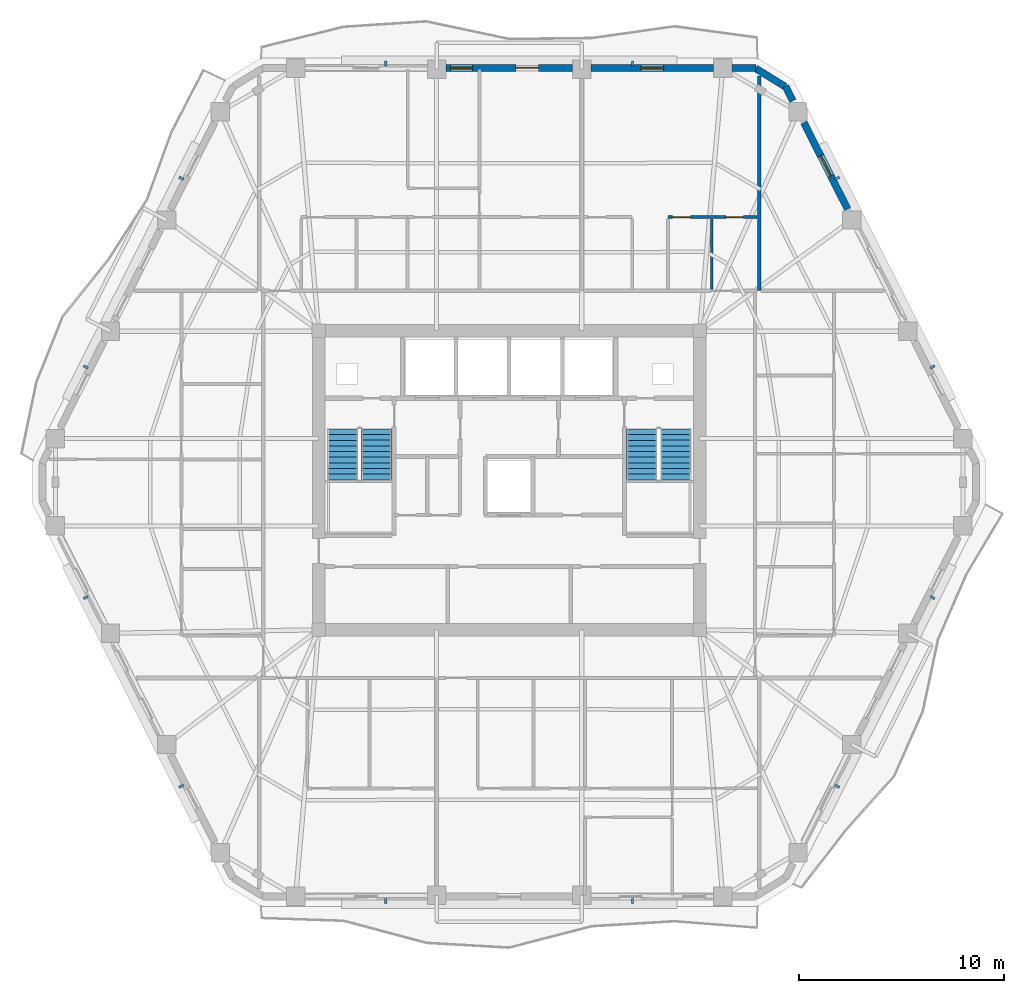
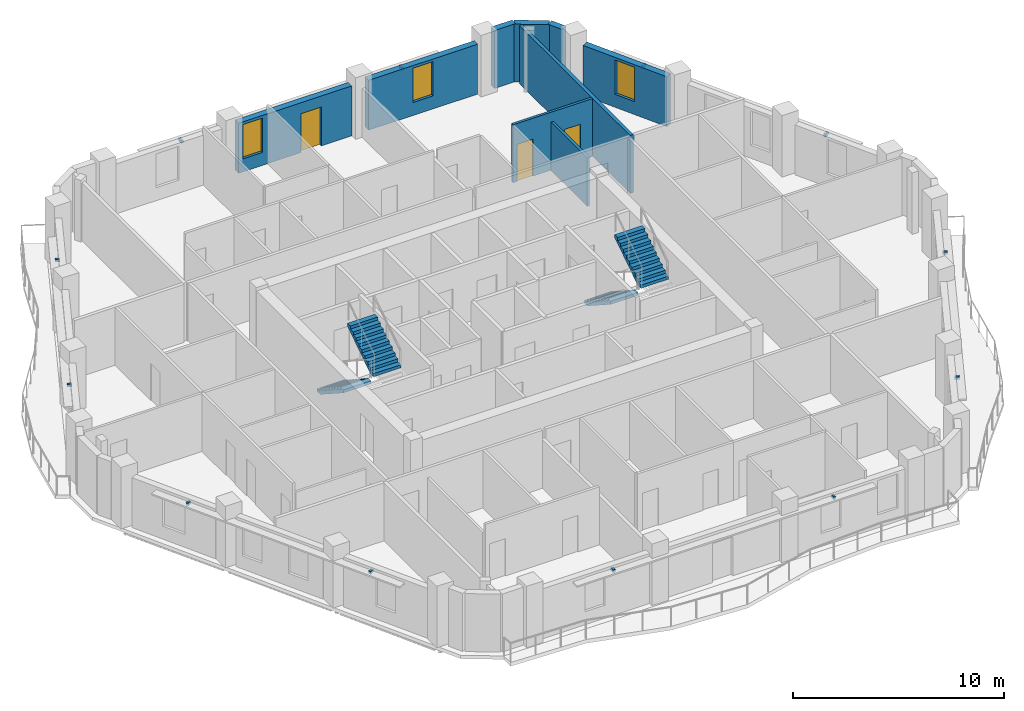
# One storey, part 8 of 11: 12 discrete accessories, 9 walls, 4 stair flights, 3 doors, 3 windows, 6 openings, 2 elements without a shape of their own.
"""IFC4 building model written with IfcOpenShell, lengths in metres."""

from ifc_helpers import new_model, si_unit, direction, frame, frame_2d, origin, origin_2d, place, context, subcontext, project, spatial, polyline, rectangle, outline, extrude, material, layer, layer_set, type_object, element, fill, aggregate, save


model = new_model("IFC4")

# Units and contexts
model_context = context("Model", 3, precision=1e-05, world=origin(), true_north=direction((0.0, 1.0)))
body_context = subcontext(model_context, "Body", "Model", "MODEL_VIEW")
ifc_project = project(units=[si_unit("LENGTHUNIT", "METRE"), si_unit("AREAUNIT", "SQUARE_METRE"), si_unit("VOLUMEUNIT", "CUBIC_METRE"), si_unit("PLANEANGLEUNIT", "RADIAN"), si_unit("MASSUNIT", "GRAM", prefix="KILO")], contexts=[model_context])

# Site, building, storey
site_placement = place(None, origin())
site = spatial("IfcSite", under=ifc_project, at=site_placement, CompositionType="ELEMENT")
building_placement = place(site_placement, origin())
building = spatial("IfcBuilding", under=site, at=building_placement, Name="Cinnabar Lancet Tower", CompositionType="ELEMENT")
storey_placement = place(building_placement, frame((0.0, 0.0, 182.550048828125)))
storey = spatial("IfcBuildingStorey", under=building, at=storey_placement, Name="L48", CompositionType="ELEMENT", Elevation=182.550048828125)

# Wall
ifc_material_1 = material(Name="Fire-rated twin-frame acoustic drywall", Category="gypsum")
ifc_layer_1 = layer(ifc_material_1, 0.179931640625)
ifc_layer_set_1 = layer_set([ifc_layer_1], Name="Fire-rated twin-frame acoustic drywall")
wall_type_1 = type_object("IfcWallType", Name="ARC-WL-PARTY-180", PredefinedType="PARTITIONING", material=ifc_layer_set_1)
wall_1_placement = place(storey_placement, frame((44.60009765625, 35.14990234375, 0.0), z_axis=(0.0, 0.0, 1.0), x_axis=(0.0, 1.0, 0.0)))
element("IfcWall", 1, at=wall_1_placement, inside=storey, type_object=wall_type_1, Name="PW-L48-NPTY-446", PredefinedType="PARTITIONING", context=body_context, shape_type="SweptSolid", body=[
    extrude(rectangle(XDim=10.482177734375, YDim=0.179931640625, at=frame_2d((5.2412109375, 0.0))), origin(), (0.0, 0.0, 1.0), 3.349853515625),
])

# Wall, openings, doors
ifc_material_2 = material(Name="Moisture-resistant cement-board plumbing wall", Category="masonry")
ifc_layer_2 = layer(ifc_material_2, 0.139892578125)
ifc_layer_set_2 = layer_set([ifc_layer_2], Name="Moisture-resistant cement-board plumbing wall")
wall_type_2 = type_object("IfcWallType", Name="ARC-WL-WET-140", PredefinedType="PLUMBINGWALL", material=ifc_layer_set_2)
wall_2_placement = place(storey_placement, frame((40.14990234375, 38.7451171875, 0.0), z_axis=(0.0, 0.0, 1.0), x_axis=(1.0, 0.0, 0.0)))
wall_2 = element("IfcWall", 2, at=wall_2_placement, inside=storey, type_object=wall_type_2, Name="UW-L48-N02-SPL", PredefinedType="PLUMBINGWALL", context=body_context, shape_type="SweptSolid", body=[
    extrude(rectangle(XDim=4.35498046875, YDim=0.139892578125, at=frame_2d((2.177490234375, 0.0))), origin(), (0.0, 0.0, 1.0), 3.349853515625),
])
opening_1_placement = place(wall_2_placement, frame((2.821044921875, 0.0, 0.0)))
opening_1 = element("IfcOpeningElement", 3, at=opening_1_placement, cuts=wall_2, Name="Opening BD-01", PredefinedType="OPENING", context=body_context, shape_type="SweptSolid", body=[
    extrude(rectangle(XDim=0.860107421875, YDim=2.10009765625, at=frame_2d((0.43017578125, 1.050048828125))), frame((0.0, 0.079833984375, 0.0), z_axis=(0.0, -1.0, 0.0), x_axis=(1.0, 0.0, 0.0)), (0.0, 0.0, 1.0), 0.159912109375),
])
opening_2_placement = place(wall_2_placement, frame((0.219970703125, 0.0, 0.0)))
opening_2 = element("IfcOpeningElement", 4, at=opening_2_placement, cuts=wall_2, Name="Opening RD-02", PredefinedType="OPENING", context=body_context, shape_type="SweptSolid", body=[
    extrude(rectangle(XDim=0.8798828125, YDim=2.14990234375, at=frame_2d((0.43994140625, 1.074951171875))), frame((0.0, 0.079833984375, 0.0), z_axis=(0.0, -1.0, 0.0), x_axis=(1.0, 0.0, 0.0)), (0.0, 0.0, 1.0), 0.159912109375),
])
ifc_material_3 = material(Name="Moisture-resistant timber bathroom door", Category="wood")
door_type_1 = type_object("IfcDoorType", Name="ARC-DR-BATH", OperationType="NOTDEFINED", PredefinedType="DOOR", material=ifc_material_3)
door_1_placement = place(opening_1_placement, origin())
door_1 = element("IfcDoor", 5, at=door_1_placement, inside=storey, type_object=door_type_1, Name="DR-L48-N02-BTH", OperationType="SINGLE_SWING_RIGHT", OverallHeight=2.10009765625, OverallWidth=0.860107421875, PredefinedType="DOOR", context=body_context, shape_type="SweptSolid", body=[
    extrude(rectangle(XDim=0.860107421875, YDim=2.10009765625, at=frame_2d((0.43017578125, 1.050048828125))), frame((0.0, 0.02490234375, 0.0), z_axis=(0.0, -1.0, 0.0), x_axis=(1.0, 0.0, 0.0)), (0.0, 0.0, 1.0), 0.050048828125),
])
fill(opening_1, door_1)
ifc_material_4 = material(Name="Engineered timber study door", Category="wood")
door_type_2 = type_object("IfcDoorType", Name="ARC-DR-STUDY", OperationType="NOTDEFINED", PredefinedType="DOOR", material=ifc_material_4)
door_2_placement = place(opening_2_placement, origin())
door_2 = element("IfcDoor", 6, at=door_2_placement, inside=storey, type_object=door_type_2, Name="DR-L48-N02-KIT", OperationType="SINGLE_SWING_LEFT", OverallHeight=2.14990234375, OverallWidth=0.8798828125, PredefinedType="DOOR", context=body_context, shape_type="SweptSolid", body=[
    extrude(rectangle(XDim=0.8798828125, YDim=2.14990234375, at=frame_2d((0.43994140625, 1.074951171875))), frame((0.0, 0.02490234375, 0.0), z_axis=(0.0, -1.0, 0.0), x_axis=(1.0, 0.0, 0.0)), (0.0, 0.0, 1.0), 0.050048828125),
])
fill(opening_2, door_2)

# Walls
wall_3_placement = place(storey_placement, frame((42.285888671875, 35.235107421875, 0.0), z_axis=(0.0, 0.0, 1.0), x_axis=(0.0, 1.0, 0.0)))
element("IfcWall", 7, at=wall_3_placement, inside=storey, type_object=wall_type_2, Name="UW-L48-N02-KDV", PredefinedType="PLUMBINGWALL", context=body_context, shape_type="SweptSolid", body=[
    extrude(rectangle(XDim=3.40478515625, YDim=0.139892578125, at=frame_2d((1.702392578125, 0.0))), origin(), (0.0, 0.0, 1.0), 2.806884765625),
])
ifc_material_5 = material(Name="Cinnabar red clay brick", Category="masonry")
ifc_layer_3 = layer(ifc_material_5, 0.340087890625)
ifc_layer_set_3 = layer_set([ifc_layer_3], Name="Cinnabar red clay brick")
wall_type_3 = type_object("IfcWallType", Name="ENV-WL-BRK-RED-340", PredefinedType="STANDARD", material=ifc_layer_set_3)
wall_4_placement = place(storey_placement, frame((45.862060546875, 45.115966796875, 0.0), z_axis=(0.0, 0.0, 1.0), x_axis=(-0.851713271379, 0.524008113828, 0.0)))
element("IfcWall", 8, at=wall_4_placement, inside=storey, type_object=wall_type_3, Name="L48 Chamfered Corner Brick Pier 4.1", PredefinedType="STANDARD", context=body_context, shape_type="SweptSolid", body=[
    extrude(rectangle(XDim=1.677734375, YDim=0.340087890625, at=frame_2d((0.8388671875, 0.0))), origin(), (0.0, 0.0, 1.0), 3.349853515625),
])

# Wall, opening, window
wall_5_placement = place(storey_placement, frame((48.9189453125, 39.1298828125, 0.0), z_axis=(0.0, 0.0, 1.0), x_axis=(-0.45150207307, 0.892270070109, 0.0)))
wall_5 = element("IfcWall", 9, at=wall_5_placement, inside=storey, type_object=wall_type_3, Name="L48 Face 3 Masonry Bay Wall 4", PredefinedType="STANDARD", context=body_context, shape_type="SweptSolid", body=[
    extrude(rectangle(XDim=4.73095703125, YDim=0.340087890625, at=frame_2d((2.365478515625, 0.0))), origin(), (0.0, 0.0, 1.0), 2.883056640625),
])
opening_3_placement = place(wall_5_placement, frame((1.81494140625, 0.0, 0.75)))
opening_3 = element("IfcOpeningElement", 10, at=opening_3_placement, cuts=wall_5, Name="Opening WN-04", PredefinedType="OPENING", context=body_context, shape_type="SweptSolid", body=[
    extrude(rectangle(XDim=1.10009765625, YDim=1.98291015625, at=frame_2d((0.550048828125, 0.991455078125))), frame((0.0, 0.179931640625, 0.0), z_axis=(0.0, -1.0, 0.0), x_axis=(1.0, 0.0, 0.0)), (0.0, 0.0, 1.0), 0.360107421875),
])
ifc_material_6 = material(Name="Thermally broken bronze-anodized aluminium tall lancet window", Category="aluminium")
window_type = type_object("IfcWindowType", Name="ENV-WN-LANCET-1100", PartitioningType="SINGLE_PANEL", PredefinedType="WINDOW", material=ifc_material_6)
window_1_placement = place(opening_3_placement, origin())
window_1 = element("IfcWindow", 11, at=window_1_placement, inside=storey, type_object=window_type, Name="L48 Face 3 Gothic Lancet Window 4", OverallHeight=1.98291015625, OverallWidth=1.10009765625, PartitioningType="SINGLE_PANEL", PredefinedType="WINDOW", context=body_context, shape_type="SweptSolid", body=[
    extrude(rectangle(XDim=1.10009765625, YDim=1.98291015625, at=frame_2d((0.550048828125, 0.991455078125))), frame((0.0, 0.030029296875, 0.0), z_axis=(0.0, -1.0, 0.0), x_axis=(1.0, 0.0, 0.0)), (0.0, 0.0, 1.0), 0.06005859375),
])
fill(opening_3, window_1)

# Walls
wall_6_placement = place(storey_placement, frame((46.24609375, 44.4130859375, 0.0), z_axis=(0.0, 0.0, 1.0), x_axis=(-0.451691568309, 0.892174157392, 0.0)))
element("IfcWall", 12, at=wall_6_placement, inside=storey, type_object=wall_type_3, Name="L48 Face 3 Masonry Bay Wall 5", PredefinedType="STANDARD", context=body_context, shape_type="SweptSolid", body=[
    extrude(rectangle(XDim=0.805908203125, YDim=0.340087890625, at=frame_2d((0.40283203125, 0.0))), origin(), (0.0, 0.0, 1.0), 3.349853515625),
])
wall_7_placement = place(storey_placement, frame((44.43798828125, 46.02001953125, 0.0), z_axis=(0.0, 0.0, 1.0), x_axis=(-1.0, 0.0, 0.0)))
element("IfcWall", 13, at=wall_7_placement, inside=storey, type_object=wall_type_3, Name="L48 Face 4 Masonry Bay Wall 1", PredefinedType="STANDARD", context=body_context, shape_type="SweptSolid", body=[
    extrude(rectangle(XDim=1.1630859375, YDim=0.340087890625, at=frame_2d((0.58154296875, 0.0))), origin(), (0.0, 0.0, 1.0), 3.349853515625),
])

# Wall, opening, window
wall_8_placement = place(storey_placement, frame((42.366943359375, 46.02001953125, 0.0), z_axis=(0.0, 0.0, 1.0), x_axis=(-1.0, 0.0, 0.0)))
wall_8 = element("IfcWall", 14, at=wall_8_placement, inside=storey, type_object=wall_type_3, Name="L48 Face 4 Masonry Bay Wall 2", PredefinedType="STANDARD", context=body_context, shape_type="SweptSolid", body=[
    extrude(rectangle(XDim=5.969970703125, YDim=0.340087890625, at=frame_2d((2.98486328125, 0.0))), origin(), (0.0, 0.0, 1.0), 2.883056640625),
])
opening_4_placement = place(wall_8_placement, frame((2.43505859375, 0.0, 0.75)))
opening_4 = element("IfcOpeningElement", 15, at=opening_4_placement, cuts=wall_8, Name="Opening WN-04", PredefinedType="OPENING", context=body_context, shape_type="SweptSolid", body=[
    extrude(rectangle(XDim=1.10009765625, YDim=1.98291015625, at=frame_2d((0.550048828125, 0.991455078125))), frame((0.0, 0.179931640625, 0.0), z_axis=(0.0, -1.0, 0.0), x_axis=(1.0, 0.0, 0.0)), (0.0, 0.0, 1.0), 0.360107421875),
])
window_2_placement = place(opening_4_placement, origin())
window_2 = element("IfcWindow", 16, at=window_2_placement, inside=storey, type_object=window_type, Name="L48 Face 4 Gothic Lancet Window 2", OverallHeight=1.98291015625, OverallWidth=1.10009765625, PartitioningType="SINGLE_PANEL", PredefinedType="WINDOW", context=body_context, shape_type="SweptSolid", body=[
    extrude(rectangle(XDim=1.10009765625, YDim=1.98291015625, at=frame_2d((0.550048828125, 0.991455078125))), frame((0.0, 0.030029296875, 0.0), z_axis=(0.0, -1.0, 0.0), x_axis=(1.0, 0.0, 0.0)), (0.0, 0.0, 1.0), 0.06005859375),
])
fill(opening_4, window_2)

# Wall, openings, door, window
wall_9_placement = place(storey_placement, frame((35.489013671875, 46.02001953125, 0.0), z_axis=(0.0, 0.0, 1.0), x_axis=(-1.0, 0.0, 0.0)))
wall_9 = element("IfcWall", 17, at=wall_9_placement, inside=storey, type_object=wall_type_3, Name="L48 Face 4 Masonry Bay Wall 3", PredefinedType="STANDARD", context=body_context, shape_type="SweptSolid", body=[
    extrude(rectangle(XDim=6.177978515625, YDim=0.340087890625, at=frame_2d((3.0888671875, 0.0))), origin(), (0.0, 0.0, 1.0), 2.883056640625),
])
opening_5_placement = place(wall_9_placement, frame((1.66796875, 0.0, 0.0)))
opening_5 = element("IfcOpeningElement", 18, at=opening_5_placement, cuts=wall_9, Name="Opening TD-01", PredefinedType="OPENING", context=body_context, shape_type="SweptSolid", body=[
    extrude(rectangle(XDim=1.10009765625, YDim=2.25, at=frame_2d((0.550048828125, 1.125))), frame((0.0, 0.179931640625, 0.0), z_axis=(0.0, -1.0, 0.0), x_axis=(1.0, 0.0, 0.0)), (0.0, 0.0, 1.0), 0.360107421875),
])
opening_6_placement = place(wall_9_placement, frame((4.8720703125, 0.0, 0.75)))
opening_6 = element("IfcOpeningElement", 19, at=opening_6_placement, cuts=wall_9, Name="Opening WN-04", PredefinedType="OPENING", context=body_context, shape_type="SweptSolid", body=[
    extrude(rectangle(XDim=1.0859375, YDim=1.98291015625, at=frame_2d((0.54296875, 0.991455078125))), frame((0.0, 0.179931640625, 0.0), z_axis=(0.0, -1.0, 0.0), x_axis=(1.0, 0.0, 0.0)), (0.0, 0.0, 1.0), 0.360107421875),
])
ifc_material_7 = material(Name="Thermally broken low-E glazed balcony terrace door", Category="wood")
door_type_3 = type_object("IfcDoorType", Name="ARC-DR-BALC", OperationType="NOTDEFINED", PredefinedType="DOOR", material=ifc_material_7)
door_3_placement = place(opening_5_placement, origin())
door_3 = element("IfcDoor", 20, at=door_3_placement, inside=storey, type_object=door_type_3, Name="L48 Face 4 Glazed Terrace Door", OperationType="SINGLE_SWING_RIGHT", OverallHeight=2.25, OverallWidth=1.10009765625, PredefinedType="DOOR", context=body_context, shape_type="SweptSolid", body=[
    extrude(rectangle(XDim=1.10009765625, YDim=2.25, at=frame_2d((0.550048828125, 1.125))), frame((0.0, 0.02490234375, 0.0), z_axis=(0.0, -1.0, 0.0), x_axis=(1.0, 0.0, 0.0)), (0.0, 0.0, 1.0), 0.050048828125),
])
fill(opening_5, door_3)
window_3_placement = place(opening_6_placement, origin())
window_3 = element("IfcWindow", 21, at=window_3_placement, inside=storey, type_object=window_type, Name="L48 Split-Bay Gothic Lancet Window 150", OverallHeight=1.98291015625, OverallWidth=1.0859375, PartitioningType="SINGLE_PANEL", PredefinedType="WINDOW", context=body_context, shape_type="SweptSolid", body=[
    extrude(rectangle(XDim=1.0859375, YDim=1.98291015625, at=frame_2d((0.54296875, 0.991455078125))), frame((0.0, 0.030029296875, 0.0), z_axis=(0.0, -1.0, 0.0), x_axis=(1.0, 0.0, 0.0)), (0.0, 0.0, 1.0), 0.06005859375),
])
fill(opening_6, window_3)

# Stair, stair flights
ifc_material_8 = material(Name="Concrete C40/50", Category="concrete")
stair_type = type_object("IfcStairType", Name="ST-CORE", PredefinedType="HALF_TURN_STAIR", material=ifc_material_8)
stair_1_placement = place(storey_placement, origin())
stair_1 = element("IfcStair", 22, at=stair_1_placement, inside=storey, type_object=stair_type, Name="L48 ST-1", PredefinedType="HALF_TURN_STAIR")
ifc_material_9 = material(Name="Concrete C40/50", Category="concrete")
stair_flight_type = type_object("IfcStairFlightType", Name="FLIGHT-CORE", PredefinedType="STRAIGHT", material=ifc_material_9)
stair_flight_1_placement = place(storey_placement, frame((24.27490234375, 28.39990234375, 0.0), z_axis=(0.0, 0.0, 1.0), x_axis=(0.0, -1.0, 0.0)))
stair_flight_1 = element("IfcStairFlight", 23, at=stair_flight_1_placement, type_object=stair_flight_type, Name="ST-1 flight 1", NumberOfRisers=10, NumberOfTreads=9, PredefinedType="STRAIGHT", RiserHeight=0.1775, TreadLength=0.275, context=body_context, shape_type="SweptSolid", body=[
    extrude(outline(polyline([(0.0, 0.0), (0.0, 0.177490234375), (0.27490234375, 0.177490234375), (0.27490234375, 0.35498046875), (0.550048828125, 0.35498046875), (0.550048828125, 0.532470703125), (0.824951171875, 0.532470703125), (0.824951171875, 0.7099609375), (1.10009765625, 0.7099609375), (1.10009765625, 0.887451171875), (1.375, 0.887451171875), (1.375, 1.06494140625), (1.64990234375, 1.06494140625), (1.64990234375, 1.242431640625), (1.925048828125, 1.242431640625), (1.925048828125, 1.419921875), (2.199951171875, 1.419921875), (2.199951171875, 1.597412109375), (2.47509765625, 1.597412109375), (2.47509765625, 1.77490234375), (2.47509765625, 1.419189453125), (0.2763671875, 0.0), (0.0, 0.0)])), frame((0.0, 0.75, 0.0), z_axis=(0.0, -1.0, 0.0), x_axis=(1.0, 0.0, 0.0)), (0.0, 0.0, 1.0), 1.5),
])
stair_flight_2_placement = place(storey_placement, frame((25.925048828125, 25.925048828125, 1.77490234375), z_axis=(0.0, 0.0, 1.0), x_axis=(0.0, 1.0, 0.0)))
stair_flight_2 = element("IfcStairFlight", 24, at=stair_flight_2_placement, type_object=stair_flight_type, Name="ST-1 flight 2", NumberOfRisers=10, NumberOfTreads=9, PredefinedType="STRAIGHT", RiserHeight=0.1775, TreadLength=0.275, context=body_context, shape_type="SweptSolid", body=[
    extrude(outline(polyline([(0.0, 0.0), (0.0, 0.177490234375), (0.27490234375, 0.177490234375), (0.27490234375, 0.35498046875), (0.550048828125, 0.35498046875), (0.550048828125, 0.532470703125), (0.824951171875, 0.532470703125), (0.824951171875, 0.7099609375), (1.10009765625, 0.7099609375), (1.10009765625, 0.887451171875), (1.375, 0.887451171875), (1.375, 1.06494140625), (1.64990234375, 1.06494140625), (1.64990234375, 1.242431640625), (1.925048828125, 1.242431640625), (1.925048828125, 1.419921875), (2.199951171875, 1.419921875), (2.199951171875, 1.597412109375), (2.47509765625, 1.597412109375), (2.47509765625, 1.77490234375), (2.47509765625, 1.419189453125), (0.2763671875, 0.0), (0.0, 0.0)])), frame((0.0, 0.75, 0.0), z_axis=(0.0, -1.0, 0.0), x_axis=(1.0, 0.0, 0.0)), (0.0, 0.0, 1.0), 1.5),
])
aggregate(stair_1, [stair_flight_1, stair_flight_2])

stair_2_placement = place(storey_placement, origin())
stair_2 = element("IfcStair", 25, at=stair_2_placement, inside=storey, type_object=stair_type, Name="L48 ST-2", PredefinedType="HALF_TURN_STAIR")
stair_flight_3_placement = place(storey_placement, frame((38.875, 28.39990234375, 0.0), z_axis=(0.0, 0.0, 1.0), x_axis=(0.0, -1.0, 0.0)))
stair_flight_3 = element("IfcStairFlight", 26, at=stair_flight_3_placement, type_object=stair_flight_type, Name="ST-2 flight 1", NumberOfRisers=10, NumberOfTreads=9, PredefinedType="STRAIGHT", RiserHeight=0.1775, TreadLength=0.275, context=body_context, shape_type="SweptSolid", body=[
    extrude(outline(polyline([(0.0, 0.0), (0.0, 0.177490234375), (0.27490234375, 0.177490234375), (0.27490234375, 0.35498046875), (0.550048828125, 0.35498046875), (0.550048828125, 0.532470703125), (0.824951171875, 0.532470703125), (0.824951171875, 0.7099609375), (1.10009765625, 0.7099609375), (1.10009765625, 0.887451171875), (1.375, 0.887451171875), (1.375, 1.06494140625), (1.64990234375, 1.06494140625), (1.64990234375, 1.242431640625), (1.925048828125, 1.242431640625), (1.925048828125, 1.419921875), (2.199951171875, 1.419921875), (2.199951171875, 1.597412109375), (2.47509765625, 1.597412109375), (2.47509765625, 1.77490234375), (2.47509765625, 1.419189453125), (0.2763671875, 0.0), (0.0, 0.0)])), frame((0.0, 0.75, 0.0), z_axis=(0.0, -1.0, 0.0), x_axis=(1.0, 0.0, 0.0)), (0.0, 0.0, 1.0), 1.5),
])
stair_flight_4_placement = place(storey_placement, frame((40.52490234375, 25.925048828125, 1.77490234375), z_axis=(0.0, 0.0, 1.0), x_axis=(0.0, 1.0, 0.0)))
stair_flight_4 = element("IfcStairFlight", 27, at=stair_flight_4_placement, type_object=stair_flight_type, Name="ST-2 flight 2", NumberOfRisers=10, NumberOfTreads=9, PredefinedType="STRAIGHT", RiserHeight=0.1775, TreadLength=0.275, context=body_context, shape_type="SweptSolid", body=[
    extrude(outline(polyline([(0.0, 0.0), (0.0, 0.177490234375), (0.27490234375, 0.177490234375), (0.27490234375, 0.35498046875), (0.550048828125, 0.35498046875), (0.550048828125, 0.532470703125), (0.824951171875, 0.532470703125), (0.824951171875, 0.7099609375), (1.10009765625, 0.7099609375), (1.10009765625, 0.887451171875), (1.375, 0.887451171875), (1.375, 1.06494140625), (1.64990234375, 1.06494140625), (1.64990234375, 1.242431640625), (1.925048828125, 1.242431640625), (1.925048828125, 1.419921875), (2.199951171875, 1.419921875), (2.199951171875, 1.597412109375), (2.47509765625, 1.597412109375), (2.47509765625, 1.77490234375), (2.47509765625, 1.419189453125), (0.2763671875, 0.0), (0.0, 0.0)])), frame((0.0, 0.75, 0.0), z_axis=(0.0, -1.0, 0.0), x_axis=(1.0, 0.0, 0.0)), (0.0, 0.0, 1.0), 1.5),
])
aggregate(stair_2, [stair_flight_3, stair_flight_4])

# Discrete accessories
ifc_material_10 = material(Name="Stainless steel 316 facade fixing bracket", Category="steel")
discrete_accessory_type = type_object("IfcDiscreteAccessoryType", Name="ENV-ACC-BRK-180", PredefinedType="BRACKET", material=ifc_material_10)
for number, where, z_axis, x_axis, name in (
    (28, (26.381103515625, 5.360107421875, 2.60009765625), (0.0, 0.0, 1.0), (1.0, 0.0, 0.0), "L48 Face 1 Sunshade Bracket A"),
    (29, (38.4189453125, 5.360107421875, 2.60009765625), (0.0, 0.0, 1.0), (1.0, 0.0, 0.0), "L48 Face 1 Sunshade Bracket B"),
    (30, (48.403076171875, 10.965087890625, 2.60009765625), (0.0, 0.0, 1.0), (0.45140713236, 0.892318105193, 0.0), "L48 Face 2 Sunshade Bracket A"),
    (31, (53.06201171875, 20.174072265625, 2.60009765625), (0.0, 0.0, 1.0), (0.45140713236, 0.892318105193, 0.0), "L48 Face 2 Sunshade Bracket B"),
    (32, (53.06201171875, 31.426025390625, 2.60009765625), (0.0, 0.0, 1.0), (-0.45140713236, 0.892318105193, 0.0), "L48 Face 3 Sunshade Bracket A"),
    (33, (48.403076171875, 40.635009765625, 2.60009765625), (0.0, 0.0, 1.0), (-0.45140713236, 0.892318105193, 0.0), "L48 Face 3 Sunshade Bracket B"),
    (34, (38.4189453125, 46.239990234375, 2.60009765625), (0.0, 0.0, 1.0), (-1.0, 0.0, 0.0), "L48 Face 4 Sunshade Bracket A"),
    (35, (26.381103515625, 46.239990234375, 2.60009765625), (0.0, 0.0, 1.0), (-1.0, 0.0, 0.0), "L48 Face 4 Sunshade Bracket B"),
    (36, (16.39697265625, 40.635009765625, 2.60009765625), (0.0, 0.0, 1.0), (-0.45140713236, -0.892318105193, 0.0), "L48 Face 5 Sunshade Bracket A"),
    (37, (11.738037109375, 31.426025390625, 2.60009765625), (0.0, 0.0, 1.0), (-0.45140713236, -0.892318105193, 0.0), "L48 Face 5 Sunshade Bracket B"),
    (38, (11.738037109375, 20.174072265625, 2.60009765625), (0.0, 0.0, 1.0), (0.45140713236, -0.892318105193, 0.0), "L48 Face 6 Sunshade Bracket A"),
    (39, (16.39697265625, 10.965087890625, 2.60009765625), (0.0, 0.0, 1.0), (0.45140713236, -0.892318105193, 0.0), "L48 Face 6 Sunshade Bracket B"),
):
    element("IfcDiscreteAccessory", number, at=place(storey_placement, frame(where, z_axis=z_axis, x_axis=x_axis)), inside=storey, type_object=discrete_accessory_type, Name=name, PredefinedType="BRACKET", context=body_context, shape_type="SweptSolid", body=[
        extrude(rectangle(XDim=0.1201171875, YDim=0.239990234375, at=origin_2d()), origin(), (0.0, 0.0, 1.0), 0.159912109375),
    ])

save(model, "model.ifc")
